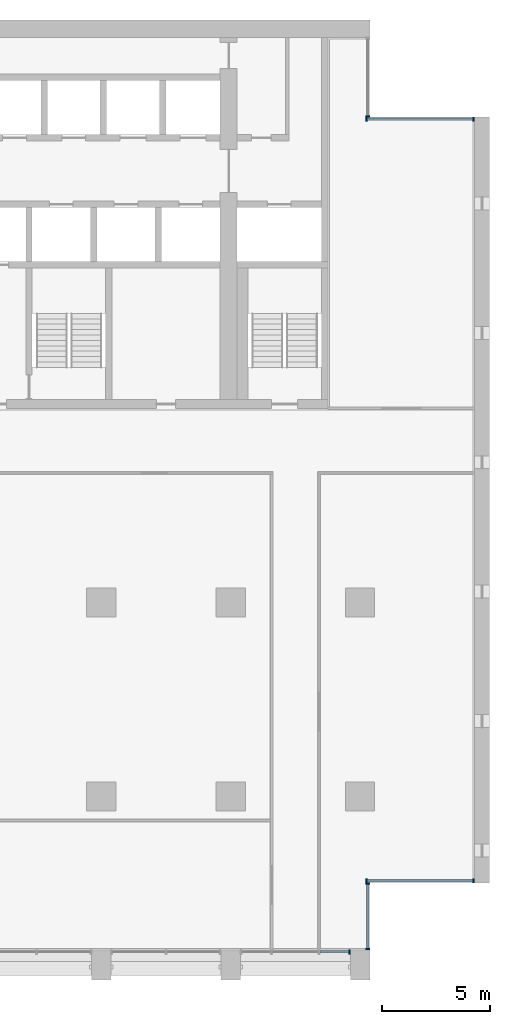
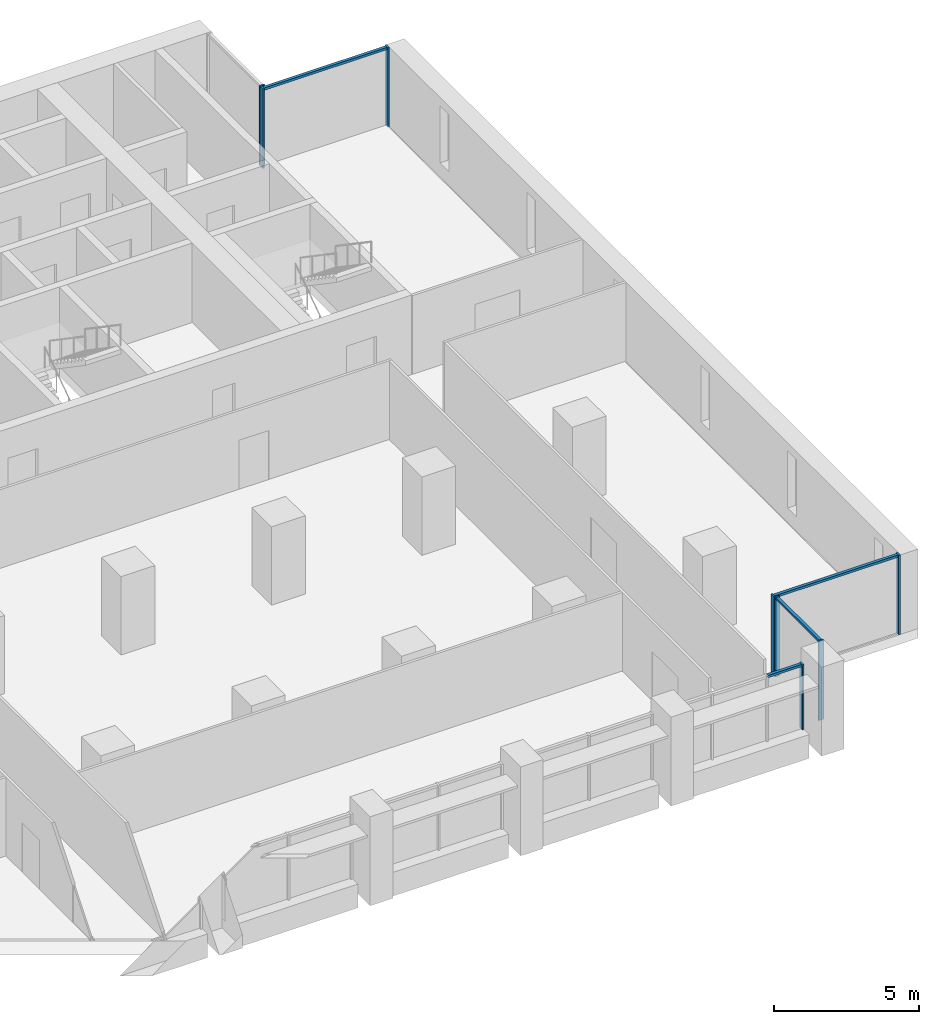
# One storey, part 5 of 15: 12 members, 5 elements without a shape of their own.
"""IFC4 building model written with IfcOpenShell, lengths in metres."""

from ifc_helpers import new_model, si_unit, direction, frame, origin, origin_2d, place, context, subcontext, project, spatial, rectangle, extrude, material, material_profile, profile_set, type_object, element, aggregate, save


model = new_model("IFC4")

# Units and contexts
model_context = context("Model", 3, precision=1e-05, world=origin(), true_north=direction((0.0, 1.0)))
body_context = subcontext(model_context, "Body", "Model", "MODEL_VIEW")
ifc_project = project(units=[si_unit("LENGTHUNIT", "METRE"), si_unit("AREAUNIT", "SQUARE_METRE"), si_unit("VOLUMEUNIT", "CUBIC_METRE"), si_unit("PLANEANGLEUNIT", "RADIAN"), si_unit("MASSUNIT", "GRAM", prefix="KILO")], contexts=[model_context])

# Site, building, storey
site_placement = place(None, origin())
site = spatial("IfcSite", under=ifc_project, at=site_placement, CompositionType="ELEMENT")
building_placement = place(site_placement, origin())
building = spatial("IfcBuilding", under=site, at=building_placement, Name="Calvaro Tower", CompositionType="ELEMENT")
storey_placement = place(building_placement, frame((0.0, 0.0, 113.75)))
storey = spatial("IfcBuildingStorey", under=building, at=storey_placement, Name="L28", CompositionType="ELEMENT", Elevation=113.75)

# Curtain wall, member
ifc_material_1 = material(Name="Anodised aluminium", Category="aluminium")
curtain_wall_type = type_object("IfcCurtainWallType", Name="Office curtain wall, middle zone", PredefinedType="NOTDEFINED", material=ifc_material_1)
curtain_wall_1_placement = place(storey_placement, origin())
curtain_wall_1 = element("IfcCurtainWall", 1, at=curtain_wall_1_placement, inside=storey, type_object=curtain_wall_type, Name="CW2 south curtain wall", PredefinedType="NOTDEFINED")
ifc_material_2 = material(Name="Anodised aluminium", Category="aluminium")
ifc_material_profile_1 = material_profile(ifc_material_2, rectangle(XDim=0.199951171875, YDim=0.070068359375, at=origin_2d()), Name="Mullion S2 70 x 200")
ifc_profile_set_1 = profile_set([ifc_material_profile_1], Name="Anodised aluminium")
member_type_1 = type_object("IfcMemberType", Name="Mullion S2 70 x 200", PredefinedType="MULLION", material=ifc_profile_set_1)
member_1_placement = place(storey_placement, frame((65.514892578125, 2.800048828125, 0.0), z_axis=(0.0, 0.0, 1.0), x_axis=(0.0, 1.0, 0.0)))
member_1 = element("IfcMember", 2, at=member_1_placement, type_object=member_type_1, Name="CW2 mullion 4", PredefinedType="MULLION", context=body_context, shape_type="SweptSolid", body=[
    extrude(rectangle(XDim=0.199951171875, YDim=0.070068359375, at=origin_2d()), origin(), (0.0, 0.0, 1.0), 2.75),
])

# Curtain wall, members
curtain_wall_2_placement = place(storey_placement, origin())
curtain_wall_2 = element("IfcCurtainWall", 3, at=curtain_wall_2_placement, inside=storey, type_object=curtain_wall_type, Name="CW2 corner curtain wall", PredefinedType="NOTDEFINED")
member_2_placement = place(storey_placement, frame((66.35009765625, 2.93505859375, 0.0), z_axis=(0.0, 0.0, 1.0), x_axis=(-1.0, 0.0, 0.0)))
member_2 = element("IfcMember", 4, at=member_2_placement, type_object=member_type_1, Name="CW2 mullion 1", PredefinedType="MULLION", context=body_context, shape_type="SweptSolid", body=[
    extrude(rectangle(XDim=0.199951171875, YDim=0.070068359375, at=origin_2d()), origin(), (0.0, 0.0, 1.0), 3.35009765625),
])
member_3_placement = place(storey_placement, frame((66.35009765625, 5.965087890625, 0.0), z_axis=(0.0, 0.0, 1.0), x_axis=(-1.0, 0.0, 0.0)))
member_3 = element("IfcMember", 5, at=member_3_placement, type_object=member_type_1, Name="CW2 mullion 2", PredefinedType="MULLION", context=body_context, shape_type="SweptSolid", body=[
    extrude(rectangle(XDim=0.199951171875, YDim=0.070068359375, at=origin_2d()), origin(), (0.0, 0.0, 1.0), 3.35009765625),
])

curtain_wall_3_placement = place(storey_placement, origin())
curtain_wall_3 = element("IfcCurtainWall", 6, at=curtain_wall_3_placement, inside=storey, type_object=curtain_wall_type, Name="CW2 corner curtain wall", PredefinedType="NOTDEFINED")
member_4_placement = place(storey_placement, frame((66.284912109375, 6.10009765625, 0.0), z_axis=(0.0, 0.0, 1.0), x_axis=(0.0, 1.0, 0.0)))
member_4 = element("IfcMember", 7, at=member_4_placement, type_object=member_type_1, Name="CW2 mullion 1", PredefinedType="MULLION", context=body_context, shape_type="SweptSolid", body=[
    extrude(rectangle(XDim=0.199951171875, YDim=0.070068359375, at=origin_2d()), origin(), (0.0, 0.0, 1.0), 3.35009765625),
])
member_5_placement = place(storey_placement, frame((71.264892578125, 6.10009765625, 0.0), z_axis=(0.0, 0.0, 1.0), x_axis=(0.0, 1.0, 0.0)))
member_5 = element("IfcMember", 8, at=member_5_placement, type_object=member_type_1, Name="CW2 mullion 2", PredefinedType="MULLION", context=body_context, shape_type="SweptSolid", body=[
    extrude(rectangle(XDim=0.199951171875, YDim=0.070068359375, at=origin_2d()), origin(), (0.0, 0.0, 1.0), 3.35009765625),
])

# Curtain wall, member
curtain_wall_4_placement = place(storey_placement, origin())
curtain_wall_4 = element("IfcCurtainWall", 9, at=curtain_wall_4_placement, inside=storey, type_object=curtain_wall_type, Name="CW2 corner curtain wall", PredefinedType="NOTDEFINED")
member_6_placement = place(storey_placement, frame((66.35009765625, 41.534912109375, 0.0), z_axis=(0.0, 0.0, 1.0), x_axis=(-1.0, 0.0, 0.0)))
member_6 = element("IfcMember", 10, at=member_6_placement, type_object=member_type_1, Name="CW2 mullion 1", PredefinedType="MULLION", context=body_context, shape_type="SweptSolid", body=[
    extrude(rectangle(XDim=0.199951171875, YDim=0.070068359375, at=origin_2d()), origin(), (0.0, 0.0, 1.0), 3.35009765625),
])
aggregate(curtain_wall_4, [member_6])

# Curtain wall, members
curtain_wall_5_placement = place(storey_placement, origin())
curtain_wall_5 = element("IfcCurtainWall", 11, at=curtain_wall_5_placement, inside=storey, type_object=curtain_wall_type, Name="CW2 corner curtain wall", PredefinedType="NOTDEFINED")
member_7_placement = place(storey_placement, frame((66.284912109375, 41.39990234375, 0.0), z_axis=(0.0, 0.0, 1.0), x_axis=(0.0, 1.0, 0.0)))
member_7 = element("IfcMember", 12, at=member_7_placement, type_object=member_type_1, Name="CW2 mullion 1", PredefinedType="MULLION", context=body_context, shape_type="SweptSolid", body=[
    extrude(rectangle(XDim=0.199951171875, YDim=0.070068359375, at=origin_2d()), origin(), (0.0, 0.0, 1.0), 3.35009765625),
])
member_8_placement = place(storey_placement, frame((71.264892578125, 41.39990234375, 0.0), z_axis=(0.0, 0.0, 1.0), x_axis=(0.0, 1.0, 0.0)))
member_8 = element("IfcMember", 13, at=member_8_placement, type_object=member_type_1, Name="CW2 mullion 2", PredefinedType="MULLION", context=body_context, shape_type="SweptSolid", body=[
    extrude(rectangle(XDim=0.199951171875, YDim=0.070068359375, at=origin_2d()), origin(), (0.0, 0.0, 1.0), 3.35009765625),
])

# Member
ifc_material_3 = material(Name="Anodised aluminium", Category="aluminium")
ifc_material_profile_2 = material_profile(ifc_material_3, rectangle(XDim=0.1201171875, YDim=0.10009765625, at=origin_2d()), Name="Transom S2 100 x 120")
ifc_profile_set_2 = profile_set([ifc_material_profile_2], Name="Anodised aluminium")
member_type_2 = type_object("IfcMemberType", Name="Transom S2 100 x 120", PredefinedType="USERDEFINED", material=ifc_profile_set_2)
member_9_placement = place(storey_placement, frame((64.135009765625, 2.800048828125, 2.699951171875), z_axis=(1.0, 0.0, 0.0), x_axis=(0.0, 1.0, 0.0)))
member_9 = element("IfcMember", 14, at=member_9_placement, type_object=member_type_2, Name="CW2 transom 3.1", ObjectType="TRANSOM", PredefinedType="USERDEFINED", context=body_context, shape_type="SweptSolid", body=[
    extrude(rectangle(XDim=0.1201171875, YDim=0.10009765625, at=origin_2d()), origin(), (0.0, 0.0, 1.0), 1.344970703125),
])

aggregate(curtain_wall_1, [member_1, member_9])

member_10_placement = place(storey_placement, frame((66.35009765625, 2.969970703125, 3.300048828125), z_axis=(0.0, 1.0, 0.0), x_axis=(-1.0, 0.0, 0.0)))
member_10 = element("IfcMember", 15, at=member_10_placement, type_object=member_type_2, Name="CW2 transom 1.1", ObjectType="TRANSOM", PredefinedType="USERDEFINED", context=body_context, shape_type="SweptSolid", body=[
    extrude(rectangle(XDim=0.1201171875, YDim=0.10009765625, at=origin_2d()), origin(), (0.0, 0.0, 1.0), 2.9599609375),
])

aggregate(curtain_wall_2, [member_2, member_3, member_10])

member_11_placement = place(storey_placement, frame((66.320068359375, 6.10009765625, 3.300048828125), z_axis=(1.0, 0.0, 0.0), x_axis=(0.0, 1.0, 0.0)))
member_11 = element("IfcMember", 16, at=member_11_placement, type_object=member_type_2, Name="CW2 transom 1.1", ObjectType="TRANSOM", PredefinedType="USERDEFINED", context=body_context, shape_type="SweptSolid", body=[
    extrude(rectangle(XDim=0.1201171875, YDim=0.10009765625, at=origin_2d()), origin(), (0.0, 0.0, 1.0), 4.909912109375),
])

aggregate(curtain_wall_3, [member_4, member_5, member_11])

member_12_placement = place(storey_placement, frame((66.320068359375, 41.39990234375, 3.300048828125), z_axis=(1.0, 0.0, 0.0), x_axis=(0.0, 1.0, 0.0)))
member_12 = element("IfcMember", 17, at=member_12_placement, type_object=member_type_2, Name="CW2 transom 1.1", ObjectType="TRANSOM", PredefinedType="USERDEFINED", context=body_context, shape_type="SweptSolid", body=[
    extrude(rectangle(XDim=0.1201171875, YDim=0.10009765625, at=origin_2d()), origin(), (0.0, 0.0, 1.0), 4.909912109375),
])

aggregate(curtain_wall_5, [member_7, member_8, member_12])

save(model, "model.ifc")
